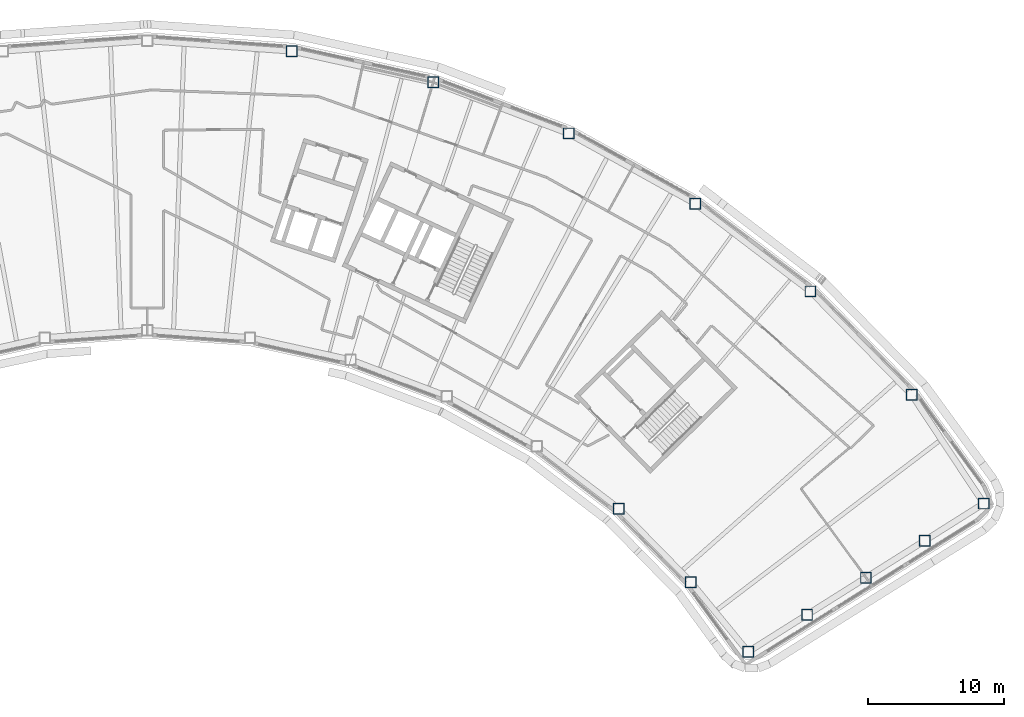
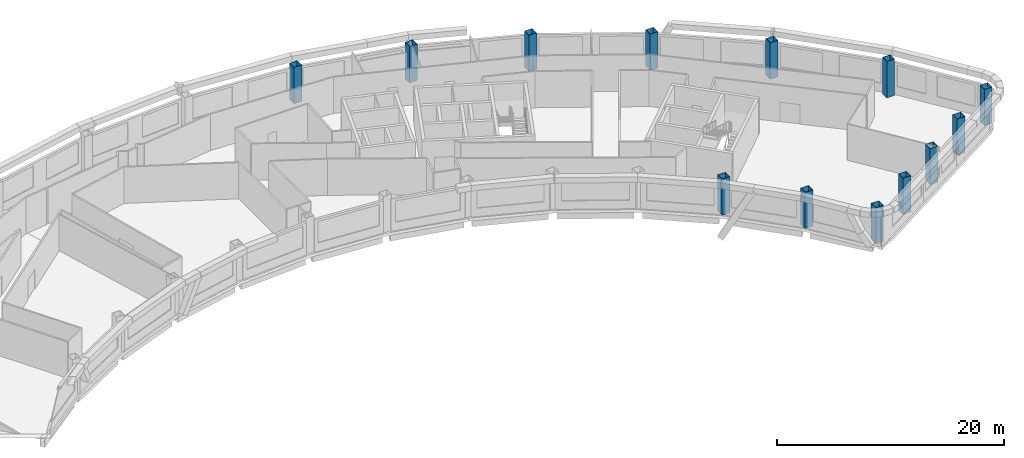
# One storey, part 2 of 13: 13 columns.
"""IFC4 building model written with IfcOpenShell, lengths in metres."""

from ifc_helpers import new_model, si_unit, direction, frame, origin, origin_2d, place, context, subcontext, project, spatial, hollow_rectangle, extrude, material, material_profile, profile_set, type_object, element, save


model = new_model("IFC4")

# Units and contexts
model_context = context("Model", 3, precision=1e-05, world=origin(), true_north=direction((0.0, 1.0)))
body_context = subcontext(model_context, "Body", "Model", "MODEL_VIEW")
ifc_project = project(units=[si_unit("LENGTHUNIT", "METRE"), si_unit("AREAUNIT", "SQUARE_METRE"), si_unit("VOLUMEUNIT", "CUBIC_METRE"), si_unit("PLANEANGLEUNIT", "RADIAN"), si_unit("MASSUNIT", "GRAM", prefix="KILO")], contexts=[model_context])

# Site, building, storey
site_placement = place(None, origin())
site = spatial("IfcSite", under=ifc_project, at=site_placement, CompositionType="ELEMENT")
building_placement = place(site_placement, origin())
building = spatial("IfcBuilding", under=site, at=building_placement, Name="Tuul Gate Civic Tower", CompositionType="ELEMENT")
storey_placement = place(building_placement, frame((0.0, 0.0, 252.60009765625)))
storey = spatial("IfcBuildingStorey", under=building, at=storey_placement, Name="Level 57", CompositionType="ELEMENT", Elevation=252.60009765625)

# Columns
ifc_material = material(Name="Steel S355", Category="steel")
ifc_material_profile = material_profile(ifc_material, hollow_rectangle(XDim=0.800048828125, YDim=0.800048828125, WallThickness=0.031982421875, at=origin_2d()), Name="BOX800x800x32")
ifc_profile_set = profile_set([ifc_material_profile], Name="Steel S355")
column_type = type_object("IfcColumnType", Name="STR-COLUMN-BOX800x800x32", PredefinedType="COLUMN", material=ifc_profile_set)
for number, where, z_axis, x_axis, name in (
    (1, (72.701904296875, -20.654052734375, 0.0), (0.0, 0.0, 1.0), (1.0, 0.0, 0.0), "Column"),
    (2, (67.403076171875, -12.64208984375, 0.0), (0.0, 0.0, 1.0), (1.0, 0.0, 0.0), "Column"),
    (3, (59.927978515625, -5.01708984375, 0.0), (0.0, 0.0, 1.0), (1.0, 0.0, 0.0), "Column"),
    (4, (51.43310546875, 1.451904296875, 0.0), (0.0, 0.0, 1.0), (1.0, 0.0, 0.0), "Column"),
    (5, (42.094970703125, 6.6279296875, 0.0), (0.0, 0.0, 1.0), (1.0, 0.0, 0.0), "Column"),
    (6, (32.10791015625, 10.405029296875, 0.0), (0.0, 0.0, 1.0), (1.0, 0.0, 0.0), "Column"),
    (7, (21.679931640625, 12.702880859375, 0.0), (0.0, 0.0, 1.0), (1.0, 0.0, 0.0), "Column"),
    (8, (45.798095703125, -21.029052734375, 0.0), (0.0, 0.0, 1.0), (1.0, 0.0, 0.0), "Column"),
    (9, (51.112060546875, -26.449951171875, 0.0), (0.0, 0.0, 1.0), (1.0, 0.0, 0.0), "Column"),
    (10, (55.33203125, -31.592041015625, 0.0), (0.0, 0.0, 1.0), (1.0, 0.0, 0.0), "Column"),
    (11, (59.674072265625, -28.85791015625, 0.0), (0.0, 0.0, 1.0), (1.0, 0.0, 0.0), "Column"),
    (12, (64.01708984375, -26.123046875, 0.0), (0.0, 0.0, 1.0), (1.0, 0.0, 0.0), "Column"),
    (13, (68.35888671875, -23.388916015625, 0.0), (0.0, 0.0, 1.0), (1.0, 0.0, 0.0), "Column"),
):
    element("IfcColumn", number, at=place(storey_placement, frame(where, z_axis=z_axis, x_axis=x_axis)), inside=storey, type_object=column_type, Name=name, PredefinedType="COLUMN", context=body_context, shape_type="SweptSolid", body=[
        extrude(hollow_rectangle(XDim=0.800048828125, YDim=0.800048828125, WallThickness=0.031982421875, at=origin_2d()), origin(), (0.0, 0.0, 1.0), 3.89990234375),
    ])

save(model, "model.ifc")
